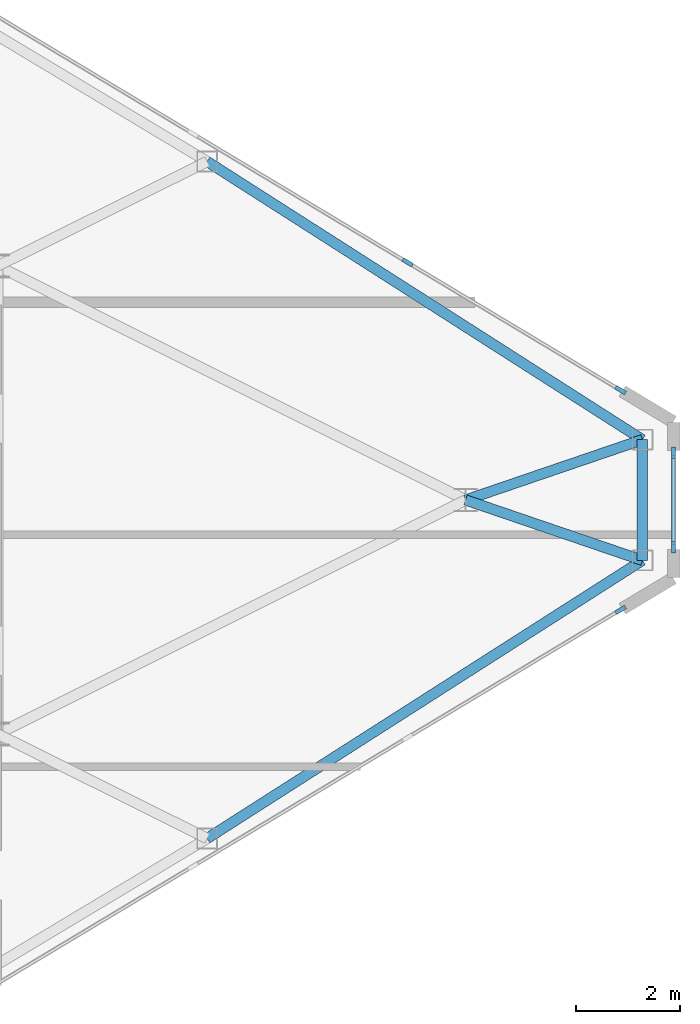
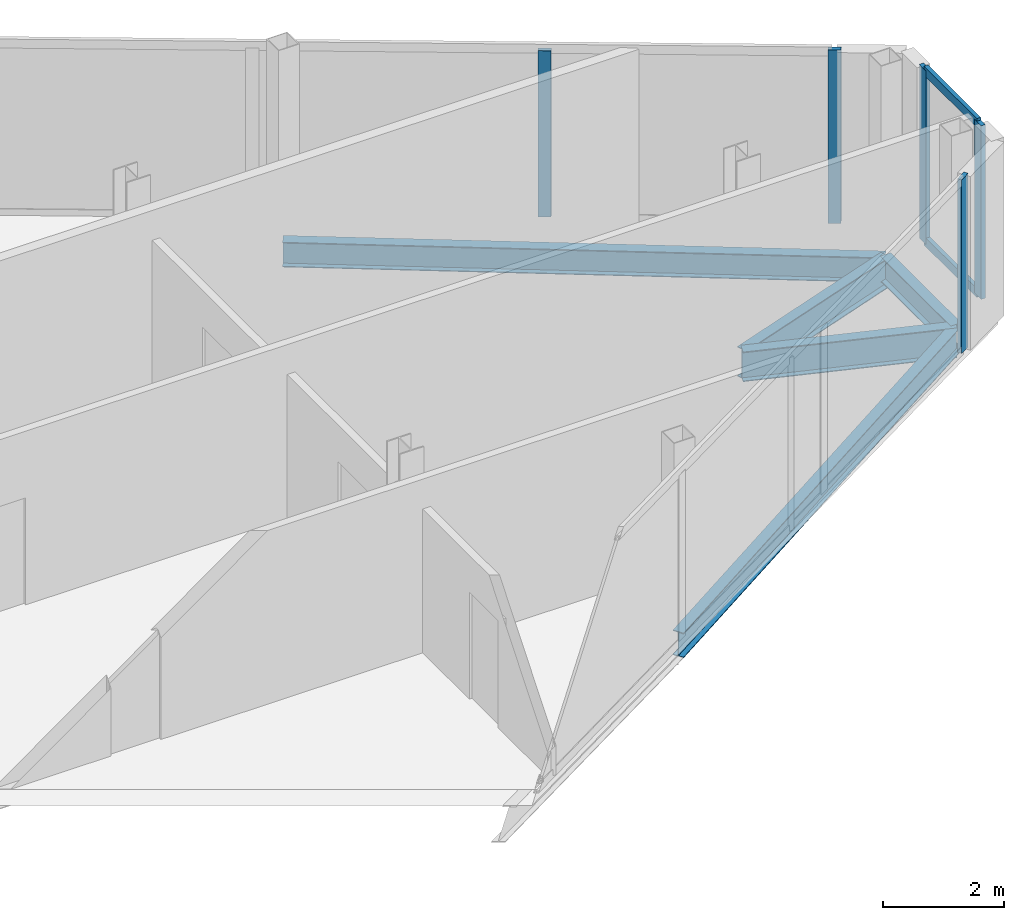
# One storey, part 18 of 28: 7 members, 5 beams, 3 elements without a shape of their own.
"""IFC4 building model written with IfcOpenShell, lengths in metres."""

from ifc_helpers import new_model, si_unit, direction, frame, origin, origin_2d, place, context, subcontext, project, spatial, rectangle, i_section, extrude, source, transform, mapped, material, layer, layer_set, material_profile, profile_set, type_object, type_shapes, element, aggregate, save


model = new_model("IFC4")

# Units and contexts
model_context = context("Model", 3, precision=1e-05, world=origin(), true_north=direction((0.0, 1.0)))
body_context = subcontext(model_context, "Body", "Model", "MODEL_VIEW")
ifc_project = project(units=[si_unit("LENGTHUNIT", "METRE"), si_unit("AREAUNIT", "SQUARE_METRE"), si_unit("VOLUMEUNIT", "CUBIC_METRE"), si_unit("PLANEANGLEUNIT", "RADIAN"), si_unit("MASSUNIT", "GRAM", prefix="KILO")], contexts=[model_context])

# Site, building, storey
site_placement = place(None, origin())
site = spatial("IfcSite", under=ifc_project, at=site_placement, CompositionType="ELEMENT")
building_placement = place(site_placement, origin())
building = spatial("IfcBuilding", under=site, at=building_placement, Name="Seokmaru Belvedere", CompositionType="ELEMENT")
storey_placement = place(building_placement, frame((0.0, 0.0, 265.64990234375)))
storey = spatial("IfcBuildingStorey", under=building, at=storey_placement, Name="L70", CompositionType="ELEMENT", Elevation=265.64990234375)

# Beams
ifc_material_1 = material(Name="Steel SM355 (355 MPa)", Category="steel")
ifc_material_profile_1 = material_profile(ifc_material_1, i_section(OverallWidth=0.199951171875, OverallDepth=0.5, WebThickness=0.010009765625, FlangeThickness=0.01611328125, at=origin_2d()), Name="H-500x200x10x16")
ifc_profile_set_1 = profile_set([ifc_material_profile_1], Name="Steel SM355 (355 MPa)")
beam_type_1 = type_object("IfcBeamType", Name="Perimeter Spandrel Beam H-500", PredefinedType="SPANDREL", material=ifc_profile_set_1)
shared_shape_1 = source(origin(), body_context, "Body", "SweptSolid", [
    extrude(i_section(OverallWidth=0.199951171875, OverallDepth=0.5, WebThickness=0.010009765625, FlangeThickness=0.01611328125, at=origin_2d()), origin(), (0.0, 0.0, 1.0), 9.932861328125),
])
for number, where, z_axis, x_axis, name in (
    (1, (58.530029296875, -6.5087890625, -0.469970703125), (0.842651960357, 0.538458609093, 0.0), (-0.538458609093, 0.842651960357, 0.0), "L70 E Faceted Flank Spandrel S-4"),
    (2, (58.530029296875, 6.5087890625, -0.469970703125), (0.842651960357, -0.538458609093, 0.0), (0.538458609093, 0.842651960357, 0.0), "L70 E Faceted Flank Spandrel N-4"),
):
    element("IfcBeam", number, at=place(storey_placement, frame(where, z_axis=z_axis, x_axis=x_axis)), inside=storey, type_object=beam_type_1, Name=name, PredefinedType="SPANDREL", context=body_context, shape_type="MappedRepresentation", body=[
        mapped(shared_shape_1, transform((0.0, 0.0, 0.0), scale=1.0)),
    ])
shared_shape_2 = source(origin(), body_context, "Body", "SweptSolid", [
    extrude(i_section(OverallWidth=0.199951171875, OverallDepth=0.5, WebThickness=0.010009765625, FlangeThickness=0.01611328125, at=origin_2d()), origin(), (0.0, 0.0, 1.0), 2.32080078125),
])
type_shapes(beam_type_1, [shared_shape_1, shared_shape_2])
beam_placement = place(storey_placement, frame((66.89990234375, -1.160400390625, -0.469970703125), z_axis=(0.0, 1.0, 0.0), x_axis=(-1.0, 0.0, 0.0)))
element("IfcBeam", 3, at=beam_placement, inside=storey, type_object=beam_type_1, Name="L70 E Faceted Apex Spandrel", PredefinedType="SPANDREL", context=body_context, shape_type="MappedRepresentation", body=[
    mapped(shared_shape_2, transform((0.0, 0.0, 0.0), scale=1.0)),
])
ifc_material_profile_2 = material_profile(ifc_material_1, i_section(OverallWidth=0.199951171875, OverallDepth=0.60009765625, WebThickness=0.010986328125, FlangeThickness=0.01708984375, at=origin_2d()), Name="H-600x200x11x17")
ifc_profile_set_2 = profile_set([ifc_material_profile_2], Name="Steel SM355 (355 MPa)")
beam_type_2 = type_object("IfcBeamType", Name="Primary Floor Girder H-600", PredefinedType="BEAM", material=ifc_profile_set_2)
shared_shape_3 = source(origin(), body_context, "Body", "SweptSolid", [
    extrude(i_section(OverallWidth=0.199951171875, OverallDepth=0.60009765625, WebThickness=0.010986328125, FlangeThickness=0.01708984375, at=origin_2d()), origin(), (0.0, 0.0, 1.0), 3.592529296875),
])
type_shapes(beam_type_2, [shared_shape_3])
for number, where, z_axis, x_axis, name in (
    (4, (66.89990234375, -1.160400390625, -0.52001953125), (-0.946395973048, 0.323008764893, 0.0), (-0.323008764893, -0.946395973048, 0.0), "L70 E Apex Radial Floor Girder 1"),
    (5, (66.89990234375, 1.160400390625, -0.52001953125), (-0.946395973048, -0.323008764893, 0.0), (0.323008764893, -0.946395973048, 0.0), "L70 E Apex Radial Floor Girder 2"),
):
    element("IfcBeam", number, at=place(storey_placement, frame(where, z_axis=z_axis, x_axis=x_axis)), inside=storey, type_object=beam_type_2, Name=name, PredefinedType="BEAM", context=body_context, shape_type="MappedRepresentation", body=[
        mapped(shared_shape_3, transform((0.0, 0.0, 0.0), scale=1.0)),
    ])

# Curtain wall, members
ifc_material_2 = material(Name="Bronze Triple Insulating Glass", Category="glass")
ifc_layer = layer(ifc_material_2, 0.219970703125)
ifc_layer_set = layer_set([ifc_layer], Name="Bronze Triple Insulating Glass")
curtain_wall_type = type_object("IfcCurtainWallType", Name="Sky-Gate Bridge Panorama Curtain Wall System CW-6", PredefinedType="NOTDEFINED", material=ifc_layer_set)
curtain_wall_1_placement = place(storey_placement, origin())
curtain_wall_1 = element("IfcCurtainWall", 6, at=curtain_wall_1_placement, inside=storey, type_object=curtain_wall_type, Name="L70 Curtain Wall EF2", PredefinedType="NOTDEFINED")
ifc_material_3 = material(Name="Anodised Bronze Aluminium", Category="aluminium")
ifc_material_profile_3 = material_profile(ifc_material_3, rectangle(XDim=0.074951171875, YDim=0.179931640625, at=origin_2d()), Name="CW-T-75x180")
ifc_profile_set_3 = profile_set([ifc_material_profile_3], Name="Anodised Bronze Aluminium")
member_type_1 = type_object("IfcMemberType", Name="Bronze Unitised Transom 75x180", PredefinedType="USERDEFINED", material=ifc_profile_set_3)
shared_shape_4 = source(origin(), body_context, "Body", "SweptSolid", [
    extrude(rectangle(XDim=0.074951171875, YDim=0.179931640625, at=origin_2d()), origin(), (0.0, 0.0, 1.0), 1.740234375),
])
type_shapes(member_type_1, [shared_shape_4])
member_1_placement = place(storey_placement, frame((67.5, -0.8701171875, 0.03759765625), z_axis=(0.0, 1.0, 0.0), x_axis=(-1.0, 0.0, 0.0)))
member_1 = element("IfcMember", 7, at=member_1_placement, type_object=member_type_1, Name="CW:L70:EF2 Continuous Transom 1", ObjectType="TRANSOM", PredefinedType="USERDEFINED", context=body_context, shape_type="MappedRepresentation", body=[
    mapped(shared_shape_4, transform((0.0, 0.0, 0.0), scale=1.0)),
])
member_2_placement = place(storey_placement, frame((67.5, -0.8701171875, 3.45263671875), z_axis=(0.0, 1.0, 0.0), x_axis=(-1.0, 0.0, 0.0)))
member_2 = element("IfcMember", 8, at=member_2_placement, type_object=member_type_1, Name="CW:L70:EF2 Continuous Transom 2", ObjectType="TRANSOM", PredefinedType="USERDEFINED", context=body_context, shape_type="MappedRepresentation", body=[
    mapped(shared_shape_4, transform((0.0, 0.0, 0.0), scale=1.0)),
])

# Curtain wall, member
curtain_wall_2_placement = place(storey_placement, origin())
curtain_wall_2 = element("IfcCurtainWall", 9, at=curtain_wall_2_placement, inside=storey, type_object=curtain_wall_type, Name="L70 Curtain Wall EF1", PredefinedType="NOTDEFINED")
ifc_material_profile_4 = material_profile(ifc_material_3, rectangle(XDim=0.080078125, YDim=0.219970703125, at=origin_2d()), Name="CW-M-80x220")
ifc_profile_set_4 = profile_set([ifc_material_profile_4], Name="Anodised Bronze Aluminium")
member_type_2 = type_object("IfcMemberType", Name="Bronze Unitised Mullion 80x220", PredefinedType="MULLION", material=ifc_profile_set_4)
shared_shape_5 = source(origin(), body_context, "Body", "SweptSolid", [
    extrude(rectangle(XDim=0.080078125, YDim=0.219970703125, at=origin_2d()), origin(), (0.0, 0.0, 1.0), 3.489990234375),
])
member_3_placement = place(storey_placement, frame((66.4794921875, -2.1123046875, 0.0), z_axis=(0.0, 0.0, 1.0), x_axis=(-0.514494909364, 0.85749343335, 0.0)))
member_3 = element("IfcMember", 10, at=member_3_placement, type_object=member_type_2, Name="CW:L70:EF1 Mullion 9", PredefinedType="MULLION", context=body_context, shape_type="MappedRepresentation", body=[
    mapped(shared_shape_5, transform((0.0, 0.0, 0.0), scale=1.0)),
])
aggregate(curtain_wall_2, [member_3])

# Member
member_4_placement = place(storey_placement, frame((67.5, -0.909912109375, 0.0), z_axis=(0.0, 0.0, 1.0), x_axis=(-1.0, 0.0, 0.0)))
member_4 = element("IfcMember", 11, at=member_4_placement, type_object=member_type_2, Name="CW:L70:EF2 Mullion 1", PredefinedType="MULLION", context=body_context, shape_type="MappedRepresentation", body=[
    mapped(shared_shape_5, transform((0.0, 0.0, 0.0), scale=1.0)),
])

member_5_placement = place(storey_placement, frame((67.5, 0.909912109375, 0.0), z_axis=(0.0, 0.0, 1.0), x_axis=(-1.0, 0.0, 0.0)))
member_5 = element("IfcMember", 12, at=member_5_placement, type_object=member_type_2, Name="CW:L70:EF2 Mullion 2", PredefinedType="MULLION", context=body_context, shape_type="MappedRepresentation", body=[
    mapped(shared_shape_5, transform((0.0, 0.0, 0.0), scale=1.0)),
])

aggregate(curtain_wall_1, [member_4, member_5, member_1, member_2])

# Curtain wall, members
curtain_wall_3_placement = place(storey_placement, origin())
curtain_wall_3 = element("IfcCurtainWall", 13, at=curtain_wall_3_placement, inside=storey, type_object=curtain_wall_type, Name="L70 Curtain Wall EF3", PredefinedType="NOTDEFINED")
member_6_placement = place(storey_placement, frame((66.4794921875, 2.1123046875, 0.0), z_axis=(0.0, 0.0, 1.0), x_axis=(-0.514494909364, -0.85749343335, 0.0)))
member_6 = element("IfcMember", 14, at=member_6_placement, type_object=member_type_2, Name="CW:L70:EF3 Mullion 1", PredefinedType="MULLION", context=body_context, shape_type="MappedRepresentation", body=[
    mapped(shared_shape_5, transform((0.0, 0.0, 0.0), scale=1.0)),
])
shared_shape_6 = source(origin(), body_context, "Body", "SweptSolid", [
    extrude(rectangle(XDim=0.080078125, YDim=0.219970703125, at=origin_2d()), origin(), (0.0, 0.0, 1.0), 3.33984375),
])
type_shapes(member_type_2, [shared_shape_5, shared_shape_6])
member_7_placement = place(storey_placement, frame((62.385498046875, 4.56884765625, 0.0751953125), z_axis=(0.0, 0.0, 1.0), x_axis=(-0.514494909364, -0.85749343335, 0.0)))
member_7 = element("IfcMember", 15, at=member_7_placement, type_object=member_type_2, Name="CW:L70:EF3 Mullion 2", PredefinedType="MULLION", context=body_context, shape_type="MappedRepresentation", body=[
    mapped(shared_shape_6, transform((0.0, 0.0, 0.0), scale=1.0)),
])
aggregate(curtain_wall_3, [member_6, member_7])

save(model, "model.ifc")
